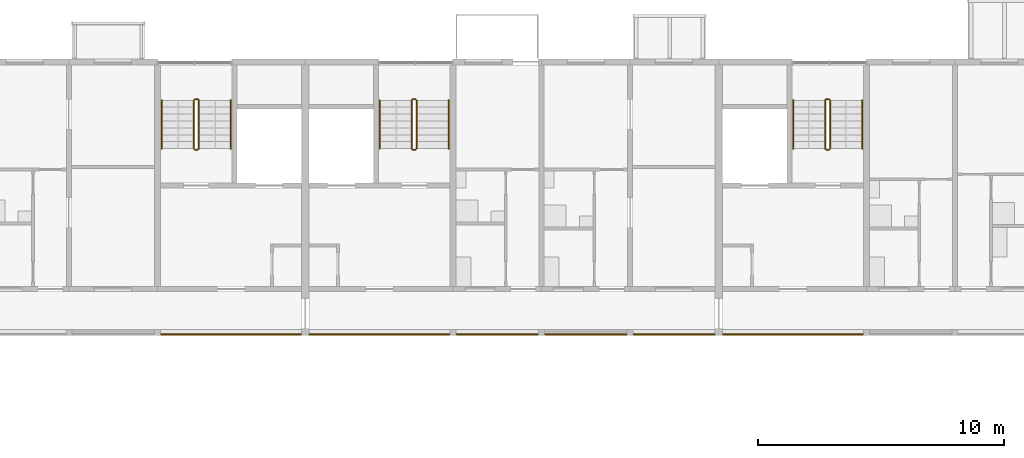
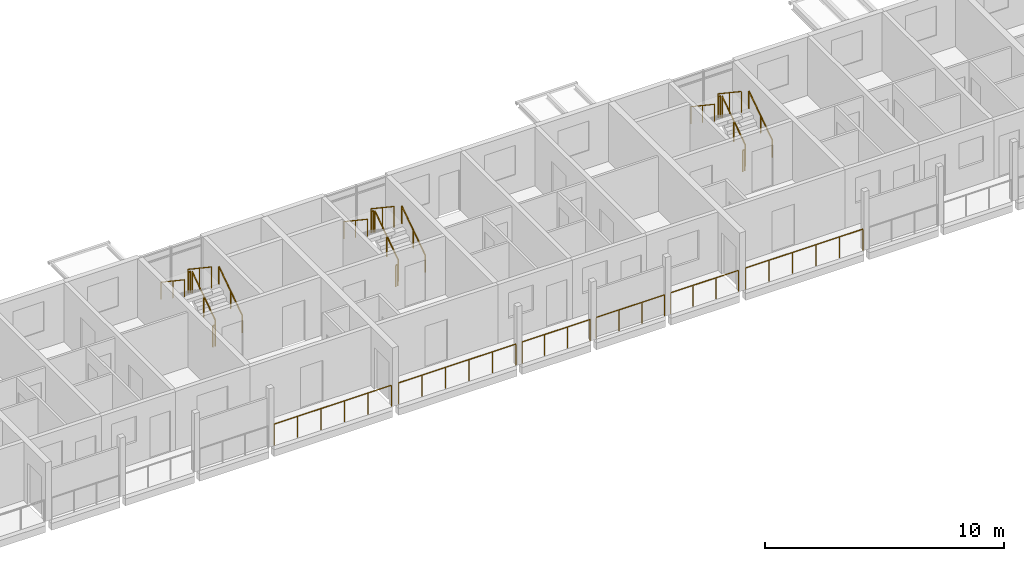
# One storey, part 91 of 99: 24 railings.
"""IFC4 building model written with IfcOpenShell, lengths in metres."""

from ifc_helpers import new_model, si_unit, direction, frame, origin, origin_2d, place, context, subcontext, project, spatial, circle, extrude, material, type_object, element, save


model = new_model("IFC4")

# Units and contexts
model_context = context("Model", 3, precision=1e-05, world=origin(), true_north=direction((0.0, 1.0)))
body_context = subcontext(model_context, "Body", "Model", "MODEL_VIEW")
ifc_project = project(units=[si_unit("LENGTHUNIT", "METRE"), si_unit("AREAUNIT", "SQUARE_METRE"), si_unit("VOLUMEUNIT", "CUBIC_METRE"), si_unit("PLANEANGLEUNIT", "RADIAN"), si_unit("MASSUNIT", "GRAM", prefix="KILO")], contexts=[model_context])

# Site, building, storey
site_placement = place(None, origin())
site = spatial("IfcSite", under=ifc_project, at=site_placement, CompositionType="ELEMENT")
building_placement = place(site_placement, origin())
building = spatial("IfcBuilding", under=site, at=building_placement, Name="Ridgestep Commons", CompositionType="ELEMENT")
storey_placement = place(building_placement, frame((0.0, 0.0, 15.0)))
storey = spatial("IfcBuildingStorey", under=building, at=storey_placement, Name="L05", CompositionType="ELEMENT", Elevation=15.0)

# Railings
ifc_material_1 = material(Name="Structural steel S355JR", Category="steel")
railing_type_1 = type_object("IfcRailingType", Name="Guard 1100", PredefinedType="GUARDRAIL", material=ifc_material_1)
railing_1_placement = place(storey_placement, frame((174.5458984375, 66.050048828125, 0.0)))
element("IfcRailing", 1, at=railing_1_placement, inside=storey, type_object=railing_type_1, Name="Gallery guard C 05.8", PredefinedType="GUARDRAIL", context=body_context, shape_type="SweptSolid", body=[
    extrude(circle(Radius=0.02392578125, at=origin_2d()), frame((0.0, 0.0, 1.076171875), z_axis=(1.0, 0.0, 0.0), x_axis=(0.0, 1.0, 0.0)), (0.0, 0.0, 1.0), 5.68310546875),
    extrude(circle(Radius=0.02099609375, at=origin_2d()), origin(), (0.0, 0.0, 1.0), 1.052001953125),
    extrude(circle(Radius=0.02099609375, at=origin_2d()), frame((1.13671875, 0.0, 0.0)), (0.0, 0.0, 1.0), 1.052001953125),
    extrude(circle(Radius=0.02099609375, at=origin_2d()), frame((2.273193359375, 0.0, 0.0)), (0.0, 0.0, 1.0), 1.052001953125),
    extrude(circle(Radius=0.02099609375, at=origin_2d()), frame((3.409912109375, 0.0, 0.0)), (0.0, 0.0, 1.0), 1.052001953125),
    extrude(circle(Radius=0.02099609375, at=origin_2d()), frame((4.54638671875, 0.0, 0.0)), (0.0, 0.0, 1.0), 1.052001953125),
    extrude(circle(Radius=0.02099609375, at=origin_2d()), frame((5.68310546875, 0.0, 0.0)), (0.0, 0.0, 1.0), 1.052001953125),
])
railing_2_placement = place(storey_placement, frame((180.571044921875, 66.050048828125, 0.0)))
element("IfcRailing", 2, at=railing_2_placement, inside=storey, type_object=railing_type_1, Name="Gallery guard C 05.9", PredefinedType="GUARDRAIL", context=body_context, shape_type="SweptSolid", body=[
    extrude(circle(Radius=0.02392578125, at=origin_2d()), frame((0.0, 0.0, 1.076171875), z_axis=(1.0, 0.0, 0.0), x_axis=(0.0, 1.0, 0.0)), (0.0, 0.0, 1.0), 5.682861328125),
    extrude(circle(Radius=0.02099609375, at=origin_2d()), origin(), (0.0, 0.0, 1.0), 1.052001953125),
    extrude(circle(Radius=0.02099609375, at=origin_2d()), frame((1.136474609375, 0.0, 0.0)), (0.0, 0.0, 1.0), 1.052001953125),
    extrude(circle(Radius=0.02099609375, at=origin_2d()), frame((2.273193359375, 0.0, 0.0)), (0.0, 0.0, 1.0), 1.052001953125),
    extrude(circle(Radius=0.02099609375, at=origin_2d()), frame((3.40966796875, 0.0, 0.0)), (0.0, 0.0, 1.0), 1.052001953125),
    extrude(circle(Radius=0.02099609375, at=origin_2d()), frame((4.54638671875, 0.0, 0.0)), (0.0, 0.0, 1.0), 1.052001953125),
    extrude(circle(Radius=0.02099609375, at=origin_2d()), frame((5.682861328125, 0.0, 0.0)), (0.0, 0.0, 1.0), 1.052001953125),
])
for number, where, name in (
    (3, (186.5458984375, 66.050048828125, 0.0), "Gallery guard C 05.10"),
    (4, (190.14599609375, 66.050048828125, 0.0), "Gallery guard C 05.11"),
):
    element("IfcRailing", number, at=place(storey_placement, frame(where)), inside=storey, type_object=railing_type_1, Name=name, PredefinedType="GUARDRAIL", context=body_context, shape_type="SweptSolid", body=[
        extrude(circle(Radius=0.02392578125, at=origin_2d()), frame((0.0, 0.0, 1.076171875), z_axis=(1.0, 0.0, 0.0), x_axis=(0.0, 1.0, 0.0)), (0.0, 0.0, 1.0), 3.30810546875),
        extrude(circle(Radius=0.02099609375, at=origin_2d()), origin(), (0.0, 0.0, 1.0), 1.052001953125),
        extrude(circle(Radius=0.02099609375, at=origin_2d()), frame((1.102783203125, 0.0, 0.0)), (0.0, 0.0, 1.0), 1.052001953125),
        extrude(circle(Radius=0.02099609375, at=origin_2d()), frame((2.205322265625, 0.0, 0.0)), (0.0, 0.0, 1.0), 1.052001953125),
        extrude(circle(Radius=0.02099609375, at=origin_2d()), frame((3.30810546875, 0.0, 0.0)), (0.0, 0.0, 1.0), 1.052001953125),
    ])
railing_3_placement = place(storey_placement, frame((193.74609375, 66.050048828125, 0.0)))
element("IfcRailing", 5, at=railing_3_placement, inside=storey, type_object=railing_type_1, Name="Gallery guard C 05.12", PredefinedType="GUARDRAIL", context=body_context, shape_type="SweptSolid", body=[
    extrude(circle(Radius=0.02392578125, at=origin_2d()), frame((0.0, 0.0, 1.076171875), z_axis=(1.0, 0.0, 0.0), x_axis=(0.0, 1.0, 0.0)), (0.0, 0.0, 1.0), 3.282958984375),
    extrude(circle(Radius=0.02099609375, at=origin_2d()), origin(), (0.0, 0.0, 1.0), 1.052001953125),
    extrude(circle(Radius=0.02099609375, at=origin_2d()), frame((1.09423828125, 0.0, 0.0)), (0.0, 0.0, 1.0), 1.052001953125),
    extrude(circle(Radius=0.02099609375, at=origin_2d()), frame((2.188720703125, 0.0, 0.0)), (0.0, 0.0, 1.0), 1.052001953125),
    extrude(circle(Radius=0.02099609375, at=origin_2d()), frame((3.282958984375, 0.0, 0.0)), (0.0, 0.0, 1.0), 1.052001953125),
])
railing_4_placement = place(storey_placement, frame((197.37109375, 66.050048828125, 0.0)))
element("IfcRailing", 6, at=railing_4_placement, inside=storey, type_object=railing_type_1, Name="Gallery guard C 05.13", PredefinedType="GUARDRAIL", context=body_context, shape_type="SweptSolid", body=[
    extrude(circle(Radius=0.02392578125, at=origin_2d()), frame((0.0, 0.0, 1.076171875), z_axis=(1.0, 0.0, 0.0), x_axis=(0.0, 1.0, 0.0)), (0.0, 0.0, 1.0), 5.682861328125),
    extrude(circle(Radius=0.02099609375, at=origin_2d()), origin(), (0.0, 0.0, 1.0), 1.052001953125),
    extrude(circle(Radius=0.02099609375, at=origin_2d()), frame((1.136474609375, 0.0, 0.0)), (0.0, 0.0, 1.0), 1.052001953125),
    extrude(circle(Radius=0.02099609375, at=origin_2d()), frame((2.273193359375, 0.0, 0.0)), (0.0, 0.0, 1.0), 1.052001953125),
    extrude(circle(Radius=0.02099609375, at=origin_2d()), frame((3.40966796875, 0.0, 0.0)), (0.0, 0.0, 1.0), 1.052001953125),
    extrude(circle(Radius=0.02099609375, at=origin_2d()), frame((4.54638671875, 0.0, 0.0)), (0.0, 0.0, 1.0), 1.052001953125),
    extrude(circle(Radius=0.02099609375, at=origin_2d()), frame((5.682861328125, 0.0, 0.0)), (0.0, 0.0, 1.0), 1.052001953125),
])
ifc_material_2 = material(Name="Structural steel S355JR", Category="steel")
railing_type_2 = type_object("IfcRailingType", Name="Stair guard 1100", PredefinedType="GUARDRAIL", material=ifc_material_2)
railing_5_placement = place(storey_placement, frame((176.074951171875, 73.60009765625, 0.1875)))
element("IfcRailing", 7, at=railing_5_placement, inside=storey, type_object=railing_type_2, Name="L05 C2C stair guard 1", PredefinedType="GUARDRAIL", context=body_context, shape_type="SweptSolid", body=[
    extrude(circle(Radius=0.02392578125, at=origin_2d()), frame((0.0, 0.0, 1.076171875), z_axis=(0.0, 0.830902050051, 0.556418712142), x_axis=(-1.0, 0.0, 0.0)), (0.0, 0.0, 1.0), 2.35888671875),
    extrude(circle(Radius=0.02099609375, at=origin_2d()), origin(), (0.0, 0.0, 1.0), 1.052001953125),
    extrude(circle(Radius=0.02099609375, at=origin_2d()), frame((0.0, 0.97998046875, 0.65625)), (0.0, 0.0, 1.0), 1.052001953125),
    extrude(circle(Radius=0.02099609375, at=origin_2d()), frame((0.0, 1.9599609375, 1.3125)), (0.0, 0.0, 1.0), 1.052001953125),
])
railing_6_placement = place(storey_placement, frame((176.02490234375, 75.610107421875, 1.5)))
element("IfcRailing", 8, at=railing_6_placement, inside=storey, type_object=railing_type_2, Name="L05 C2C stair guard 2", PredefinedType="GUARDRAIL", context=body_context, shape_type="SweptSolid", body=[
    extrude(circle(Radius=0.02392578125, at=origin_2d()), frame((0.0, 0.0, 1.076171875), z_axis=(-1.0, 0.0, 0.0), x_axis=(0.0, -1.0, 0.0)), (0.0, 0.0, 1.0), 0.099853515625),
    extrude(circle(Radius=0.02099609375, at=origin_2d()), origin(), (0.0, 0.0, 1.0), 1.052001953125),
    extrude(circle(Radius=0.02099609375, at=origin_2d()), frame((-0.099853515625, 0.0, 0.0)), (0.0, 0.0, 1.0), 1.052001953125),
])
railing_7_placement = place(storey_placement, frame((175.875, 75.56005859375, 1.6875)))
element("IfcRailing", 9, at=railing_7_placement, inside=storey, type_object=railing_type_2, Name="L05 C2C stair guard 3", PredefinedType="GUARDRAIL", context=body_context, shape_type="SweptSolid", body=[
    extrude(circle(Radius=0.02392578125, at=origin_2d()), frame((0.0, 0.0, 1.076171875), z_axis=(0.0, -0.830902050051, 0.556418712142), x_axis=(1.0, 0.0, 0.0)), (0.0, 0.0, 1.0), 2.35888671875),
    extrude(circle(Radius=0.02099609375, at=origin_2d()), origin(), (0.0, 0.0, 1.0), 1.052001953125),
    extrude(circle(Radius=0.02099609375, at=origin_2d()), frame((0.0, -0.97998046875, 0.65625)), (0.0, 0.0, 1.0), 1.052001953125),
    extrude(circle(Radius=0.02099609375, at=origin_2d()), frame((0.0, -1.9599609375, 1.3125)), (0.0, 0.0, 1.0), 1.052001953125),
])
railing_8_placement = place(storey_placement, frame((176.02490234375, 73.550048828125, 0.0)))
element("IfcRailing", 10, at=railing_8_placement, inside=storey, type_object=railing_type_2, Name="L05 C2C stair guard 4", PredefinedType="GUARDRAIL", context=body_context, shape_type="SweptSolid", body=[
    extrude(circle(Radius=0.02392578125, at=origin_2d()), frame((0.0, 0.0, 1.076171875), z_axis=(-1.0, 0.0, 0.0), x_axis=(0.0, -1.0, 0.0)), (0.0, 0.0, 1.0), 0.099853515625),
    extrude(circle(Radius=0.02099609375, at=origin_2d()), origin(), (0.0, 0.0, 1.0), 1.052001953125),
    extrude(circle(Radius=0.02099609375, at=origin_2d()), frame((-0.099853515625, 0.0, 0.0)), (0.0, 0.0, 1.0), 1.052001953125),
])
railing_9_placement = place(storey_placement, frame((184.925048828125, 73.60009765625, 0.1875)))
element("IfcRailing", 11, at=railing_9_placement, inside=storey, type_object=railing_type_2, Name="L05 C3C stair guard 1", PredefinedType="GUARDRAIL", context=body_context, shape_type="SweptSolid", body=[
    extrude(circle(Radius=0.02392578125, at=origin_2d()), frame((0.0, 0.0, 1.076171875), z_axis=(0.0, 0.830902050051, 0.556418712142), x_axis=(-1.0, 0.0, 0.0)), (0.0, 0.0, 1.0), 2.35888671875),
    extrude(circle(Radius=0.02099609375, at=origin_2d()), origin(), (0.0, 0.0, 1.0), 1.052001953125),
    extrude(circle(Radius=0.02099609375, at=origin_2d()), frame((0.0, 0.97998046875, 0.65625)), (0.0, 0.0, 1.0), 1.052001953125),
    extrude(circle(Radius=0.02099609375, at=origin_2d()), frame((0.0, 1.9599609375, 1.3125)), (0.0, 0.0, 1.0), 1.052001953125),
])
railing_10_placement = place(storey_placement, frame((184.875, 75.610107421875, 1.5)))
element("IfcRailing", 12, at=railing_10_placement, inside=storey, type_object=railing_type_2, Name="L05 C3C stair guard 2", PredefinedType="GUARDRAIL", context=body_context, shape_type="SweptSolid", body=[
    extrude(circle(Radius=0.02392578125, at=origin_2d()), frame((0.0, 0.0, 1.076171875), z_axis=(-1.0, 0.0, 0.0), x_axis=(0.0, -1.0, 0.0)), (0.0, 0.0, 1.0), 0.10009765625),
    extrude(circle(Radius=0.02099609375, at=origin_2d()), origin(), (0.0, 0.0, 1.0), 1.052001953125),
    extrude(circle(Radius=0.02099609375, at=origin_2d()), frame((-0.10009765625, 0.0, 0.0)), (0.0, 0.0, 1.0), 1.052001953125),
])
railing_11_placement = place(storey_placement, frame((184.72509765625, 75.56005859375, 1.6875)))
element("IfcRailing", 13, at=railing_11_placement, inside=storey, type_object=railing_type_2, Name="L05 C3C stair guard 3", PredefinedType="GUARDRAIL", context=body_context, shape_type="SweptSolid", body=[
    extrude(circle(Radius=0.02392578125, at=origin_2d()), frame((0.0, 0.0, 1.076171875), z_axis=(0.0, -0.830902050051, 0.556418712142), x_axis=(1.0, 0.0, 0.0)), (0.0, 0.0, 1.0), 2.35888671875),
    extrude(circle(Radius=0.02099609375, at=origin_2d()), origin(), (0.0, 0.0, 1.0), 1.052001953125),
    extrude(circle(Radius=0.02099609375, at=origin_2d()), frame((0.0, -0.97998046875, 0.65625)), (0.0, 0.0, 1.0), 1.052001953125),
    extrude(circle(Radius=0.02099609375, at=origin_2d()), frame((0.0, -1.9599609375, 1.3125)), (0.0, 0.0, 1.0), 1.052001953125),
])
railing_12_placement = place(storey_placement, frame((184.875, 73.550048828125, 0.0)))
element("IfcRailing", 14, at=railing_12_placement, inside=storey, type_object=railing_type_2, Name="L05 C3C stair guard 4", PredefinedType="GUARDRAIL", context=body_context, shape_type="SweptSolid", body=[
    extrude(circle(Radius=0.02392578125, at=origin_2d()), frame((0.0, 0.0, 1.076171875), z_axis=(-1.0, 0.0, 0.0), x_axis=(0.0, -1.0, 0.0)), (0.0, 0.0, 1.0), 0.10009765625),
    extrude(circle(Radius=0.02099609375, at=origin_2d()), origin(), (0.0, 0.0, 1.0), 1.052001953125),
    extrude(circle(Radius=0.02099609375, at=origin_2d()), frame((-0.10009765625, 0.0, 0.0)), (0.0, 0.0, 1.0), 1.052001953125),
])
railing_13_placement = place(storey_placement, frame((201.72509765625, 73.60009765625, 0.1875)))
element("IfcRailing", 15, at=railing_13_placement, inside=storey, type_object=railing_type_2, Name="L05 C4C stair guard 1", PredefinedType="GUARDRAIL", context=body_context, shape_type="SweptSolid", body=[
    extrude(circle(Radius=0.02392578125, at=origin_2d()), frame((0.0, 0.0, 1.076171875), z_axis=(0.0, 0.830902050051, 0.556418712142), x_axis=(-1.0, 0.0, 0.0)), (0.0, 0.0, 1.0), 2.35888671875),
    extrude(circle(Radius=0.02099609375, at=origin_2d()), origin(), (0.0, 0.0, 1.0), 1.052001953125),
    extrude(circle(Radius=0.02099609375, at=origin_2d()), frame((0.0, 0.97998046875, 0.65625)), (0.0, 0.0, 1.0), 1.052001953125),
    extrude(circle(Radius=0.02099609375, at=origin_2d()), frame((0.0, 1.9599609375, 1.3125)), (0.0, 0.0, 1.0), 1.052001953125),
])
railing_14_placement = place(storey_placement, frame((201.675048828125, 75.610107421875, 1.5)))
element("IfcRailing", 16, at=railing_14_placement, inside=storey, type_object=railing_type_2, Name="L05 C4C stair guard 2", PredefinedType="GUARDRAIL", context=body_context, shape_type="SweptSolid", body=[
    extrude(circle(Radius=0.02392578125, at=origin_2d()), frame((0.0, 0.0, 1.076171875), z_axis=(-1.0, 0.0, 0.0), x_axis=(0.0, -1.0, 0.0)), (0.0, 0.0, 1.0), 0.10009765625),
    extrude(circle(Radius=0.02099609375, at=origin_2d()), origin(), (0.0, 0.0, 1.0), 1.052001953125),
    extrude(circle(Radius=0.02099609375, at=origin_2d()), frame((-0.10009765625, 0.0, 0.0)), (0.0, 0.0, 1.0), 1.052001953125),
])
railing_15_placement = place(storey_placement, frame((201.52490234375, 75.56005859375, 1.6875)))
element("IfcRailing", 17, at=railing_15_placement, inside=storey, type_object=railing_type_2, Name="L05 C4C stair guard 3", PredefinedType="GUARDRAIL", context=body_context, shape_type="SweptSolid", body=[
    extrude(circle(Radius=0.02392578125, at=origin_2d()), frame((0.0, 0.0, 1.076171875), z_axis=(0.0, -0.830902050051, 0.556418712142), x_axis=(1.0, 0.0, 0.0)), (0.0, 0.0, 1.0), 2.35888671875),
    extrude(circle(Radius=0.02099609375, at=origin_2d()), origin(), (0.0, 0.0, 1.0), 1.052001953125),
    extrude(circle(Radius=0.02099609375, at=origin_2d()), frame((0.0, -0.97998046875, 0.65625)), (0.0, 0.0, 1.0), 1.052001953125),
    extrude(circle(Radius=0.02099609375, at=origin_2d()), frame((0.0, -1.9599609375, 1.3125)), (0.0, 0.0, 1.0), 1.052001953125),
])
railing_16_placement = place(storey_placement, frame((201.675048828125, 73.550048828125, 0.0)))
element("IfcRailing", 18, at=railing_16_placement, inside=storey, type_object=railing_type_2, Name="L05 C4C stair guard 4", PredefinedType="GUARDRAIL", context=body_context, shape_type="SweptSolid", body=[
    extrude(circle(Radius=0.02392578125, at=origin_2d()), frame((0.0, 0.0, 1.076171875), z_axis=(-1.0, 0.0, 0.0), x_axis=(0.0, -1.0, 0.0)), (0.0, 0.0, 1.0), 0.10009765625),
    extrude(circle(Radius=0.02099609375, at=origin_2d()), origin(), (0.0, 0.0, 1.0), 1.052001953125),
    extrude(circle(Radius=0.02099609375, at=origin_2d()), frame((-0.10009765625, 0.0, 0.0)), (0.0, 0.0, 1.0), 1.052001953125),
])
ifc_material_3 = material(Name="Structural steel S355JR", Category="steel")
railing_type_3 = type_object("IfcRailingType", Name="Stair handrail 900", PredefinedType="HANDRAIL", material=ifc_material_3)
railing_17_placement = place(storey_placement, frame((177.375, 73.60009765625, 0.1875)))
element("IfcRailing", 19, at=railing_17_placement, inside=storey, type_object=railing_type_3, Name="L05 C2C stair handrail 1", PredefinedType="HANDRAIL", context=body_context, shape_type="SweptSolid", body=[
    extrude(circle(Radius=0.02392578125, at=origin_2d()), frame((0.0, 0.0, 0.8759765625), z_axis=(0.0, 0.830902050051, 0.556418712142), x_axis=(-1.0, 0.0, 0.0)), (0.0, 0.0, 1.0), 2.35888671875),
    extrude(circle(Radius=0.02099609375, at=origin_2d()), origin(), (0.0, 0.0, 1.0), 0.851806640625),
    extrude(circle(Radius=0.02099609375, at=origin_2d()), frame((0.0, 0.97998046875, 0.65625)), (0.0, 0.0, 1.0), 0.851806640625),
    extrude(circle(Radius=0.02099609375, at=origin_2d()), frame((0.0, 1.9599609375, 1.3125)), (0.0, 0.0, 1.0), 0.851806640625),
])
railing_18_placement = place(storey_placement, frame((174.574951171875, 75.56005859375, 1.6875)))
element("IfcRailing", 20, at=railing_18_placement, inside=storey, type_object=railing_type_3, Name="L05 C2C stair handrail 2", PredefinedType="HANDRAIL", context=body_context, shape_type="SweptSolid", body=[
    extrude(circle(Radius=0.02392578125, at=origin_2d()), frame((0.0, 0.0, 0.8759765625), z_axis=(0.0, -0.830902050051, 0.556418712142), x_axis=(1.0, 0.0, 0.0)), (0.0, 0.0, 1.0), 2.35888671875),
    extrude(circle(Radius=0.02099609375, at=origin_2d()), origin(), (0.0, 0.0, 1.0), 0.851806640625),
    extrude(circle(Radius=0.02099609375, at=origin_2d()), frame((0.0, -0.97998046875, 0.65625)), (0.0, 0.0, 1.0), 0.851806640625),
    extrude(circle(Radius=0.02099609375, at=origin_2d()), frame((0.0, -1.9599609375, 1.3125)), (0.0, 0.0, 1.0), 0.851806640625),
])
railing_19_placement = place(storey_placement, frame((186.22509765625, 73.60009765625, 0.1875)))
element("IfcRailing", 21, at=railing_19_placement, inside=storey, type_object=railing_type_3, Name="L05 C3C stair handrail 1", PredefinedType="HANDRAIL", context=body_context, shape_type="SweptSolid", body=[
    extrude(circle(Radius=0.02392578125, at=origin_2d()), frame((0.0, 0.0, 0.8759765625), z_axis=(0.0, 0.830902050051, 0.556418712142), x_axis=(-1.0, 0.0, 0.0)), (0.0, 0.0, 1.0), 2.35888671875),
    extrude(circle(Radius=0.02099609375, at=origin_2d()), origin(), (0.0, 0.0, 1.0), 0.851806640625),
    extrude(circle(Radius=0.02099609375, at=origin_2d()), frame((0.0, 0.97998046875, 0.65625)), (0.0, 0.0, 1.0), 0.851806640625),
    extrude(circle(Radius=0.02099609375, at=origin_2d()), frame((0.0, 1.9599609375, 1.3125)), (0.0, 0.0, 1.0), 0.851806640625),
])
railing_20_placement = place(storey_placement, frame((183.425048828125, 75.56005859375, 1.6875)))
element("IfcRailing", 22, at=railing_20_placement, inside=storey, type_object=railing_type_3, Name="L05 C3C stair handrail 2", PredefinedType="HANDRAIL", context=body_context, shape_type="SweptSolid", body=[
    extrude(circle(Radius=0.02392578125, at=origin_2d()), frame((0.0, 0.0, 0.8759765625), z_axis=(0.0, -0.830902050051, 0.556418712142), x_axis=(1.0, 0.0, 0.0)), (0.0, 0.0, 1.0), 2.35888671875),
    extrude(circle(Radius=0.02099609375, at=origin_2d()), origin(), (0.0, 0.0, 1.0), 0.851806640625),
    extrude(circle(Radius=0.02099609375, at=origin_2d()), frame((0.0, -0.97998046875, 0.65625)), (0.0, 0.0, 1.0), 0.851806640625),
    extrude(circle(Radius=0.02099609375, at=origin_2d()), frame((0.0, -1.9599609375, 1.3125)), (0.0, 0.0, 1.0), 0.851806640625),
])
railing_21_placement = place(storey_placement, frame((203.02490234375, 73.60009765625, 0.1875)))
element("IfcRailing", 23, at=railing_21_placement, inside=storey, type_object=railing_type_3, Name="L05 C4C stair handrail 1", PredefinedType="HANDRAIL", context=body_context, shape_type="SweptSolid", body=[
    extrude(circle(Radius=0.02392578125, at=origin_2d()), frame((0.0, 0.0, 0.8759765625), z_axis=(0.0, 0.830902050051, 0.556418712142), x_axis=(-1.0, 0.0, 0.0)), (0.0, 0.0, 1.0), 2.35888671875),
    extrude(circle(Radius=0.02099609375, at=origin_2d()), origin(), (0.0, 0.0, 1.0), 0.851806640625),
    extrude(circle(Radius=0.02099609375, at=origin_2d()), frame((0.0, 0.97998046875, 0.65625)), (0.0, 0.0, 1.0), 0.851806640625),
    extrude(circle(Radius=0.02099609375, at=origin_2d()), frame((0.0, 1.9599609375, 1.3125)), (0.0, 0.0, 1.0), 0.851806640625),
])
railing_22_placement = place(storey_placement, frame((200.22509765625, 75.56005859375, 1.6875)))
element("IfcRailing", 24, at=railing_22_placement, inside=storey, type_object=railing_type_3, Name="L05 C4C stair handrail 2", PredefinedType="HANDRAIL", context=body_context, shape_type="SweptSolid", body=[
    extrude(circle(Radius=0.02392578125, at=origin_2d()), frame((0.0, 0.0, 0.8759765625), z_axis=(0.0, -0.830902050051, 0.556418712142), x_axis=(1.0, 0.0, 0.0)), (0.0, 0.0, 1.0), 2.35888671875),
    extrude(circle(Radius=0.02099609375, at=origin_2d()), origin(), (0.0, 0.0, 1.0), 0.851806640625),
    extrude(circle(Radius=0.02099609375, at=origin_2d()), frame((0.0, -0.97998046875, 0.65625)), (0.0, 0.0, 1.0), 0.851806640625),
    extrude(circle(Radius=0.02099609375, at=origin_2d()), frame((0.0, -1.9599609375, 1.3125)), (0.0, 0.0, 1.0), 0.851806640625),
])

save(model, "model.ifc")
